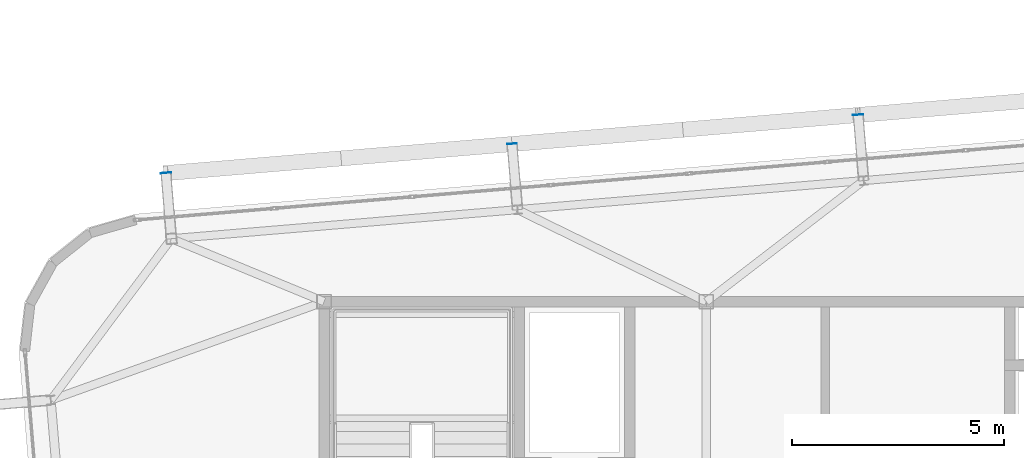
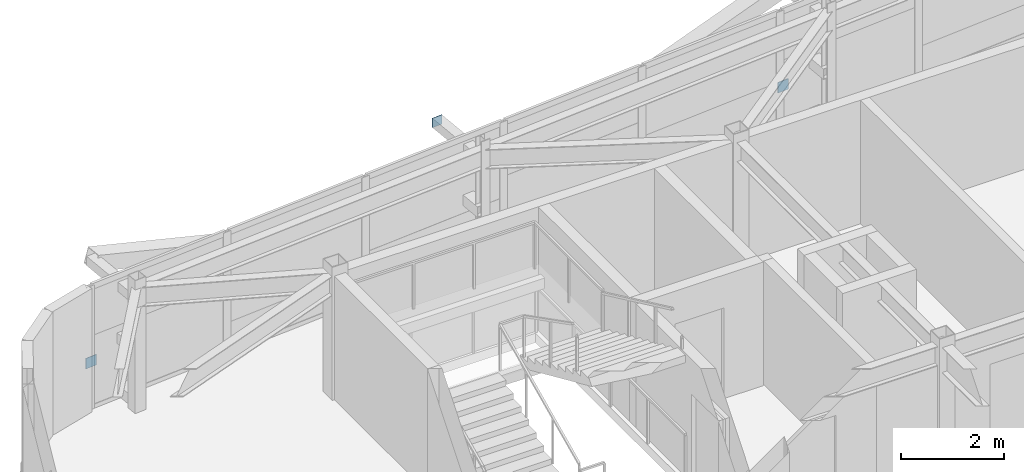
# One storey, part 39 of 46: 3 plates.
"""IFC4 building model written with IfcOpenShell, lengths in metres."""

from ifc_helpers import new_model, si_unit, direction, frame, origin, origin_2d, place, context, subcontext, project, spatial, rectangle, extrude, source, transform, mapped, material, layer, layer_set, type_object, element, save


model = new_model("IFC4")

# Units and contexts
model_context = context("Model", 3, precision=1e-05, world=origin(), true_north=direction((0.0, 1.0)))
body_context = subcontext(model_context, "Body", "Model", "MODEL_VIEW")
ifc_project = project(units=[si_unit("LENGTHUNIT", "METRE"), si_unit("AREAUNIT", "SQUARE_METRE"), si_unit("VOLUMEUNIT", "CUBIC_METRE"), si_unit("PLANEANGLEUNIT", "RADIAN"), si_unit("MASSUNIT", "GRAM", prefix="KILO")], contexts=[model_context])

# Site, building, storey
site_placement = place(None, origin())
site = spatial("IfcSite", under=ifc_project, at=site_placement, CompositionType="ELEMENT")
building_placement = place(site_placement, origin())
building = spatial("IfcBuilding", under=site, at=building_placement, Name="Taldren Reach Tower", CompositionType="ELEMENT")
storey_placement = place(building_placement, frame((0.0, 0.0, 194.60009765625)))
storey = spatial("IfcBuildingStorey", under=building, at=storey_placement, Name="L59", CompositionType="ELEMENT", Elevation=194.60009765625)

# Plates
ifc_material_1 = material(Name="Steel Gr 350 (C350L0)", Category="steel")
ifc_layer_1 = layer(ifc_material_1, 0.011962890625)
ifc_layer_set_1 = layer_set([ifc_layer_1], Name="Steel Gr 350 (C350L0)")
plate_type_1 = type_object("IfcPlateType", Name="PL-CAP-250", PredefinedType="SHEET", material=ifc_layer_set_1)
shared_shape_1 = source(origin(), body_context, "Body", "SweptSolid", [
    extrude(rectangle(XDim=0.25, YDim=0.011962890625, at=origin_2d()), origin(), (0.0, 0.0, 1.0), 0.25),
])
for number, where, z_axis, x_axis, name in (
    (1, (15.273681640625, 35.0341796875, 0.094970703125), (0.0, 0.0, 1.0), (0.99649285925, 0.083677843332, 0.0), "Tie strut end cap plate B4-N1 L59"),
    (2, (31.576171875, 36.403076171875, 0.094970703125), (0.0, 0.0, 1.0), (0.99649285925, 0.083677843332, 0.0), "Tie strut end cap plate B4-N3 L59"),
):
    element("IfcPlate", number, at=place(storey_placement, frame(where, z_axis=z_axis, x_axis=x_axis)), inside=storey, type_object=plate_type_1, Name=name, PredefinedType="SHEET", context=body_context, shape_type="MappedRepresentation", body=[
        mapped(shared_shape_1, transform((0.0, 0.0, 0.0), scale=1.0)),
    ])
ifc_material_2 = material(Name="Steel Gr 450 (C450L0)", Category="steel")
ifc_layer_2 = layer(ifc_material_2, 0.011962890625)
ifc_layer_set_2 = layer_set([ifc_layer_2], Name="Steel Gr 450 (C450L0)")
plate_type_2 = type_object("IfcPlateType", Name="PL-CAP-220", PredefinedType="SHEET", material=ifc_layer_set_2)
shared_shape_2 = source(origin(), body_context, "Body", "SweptSolid", [
    extrude(rectangle(XDim=0.219970703125, YDim=0.011962890625, at=origin_2d()), origin(), (0.0, 0.0, 1.0), 0.219970703125),
])
plate_placement = place(storey_placement, frame((23.4248046875, 35.718505859375, 2.5400390625), z_axis=(0.0, 0.0, 1.0), x_axis=(0.99649285925, 0.083677843332, 0.0)))
element("IfcPlate", 3, at=plate_placement, inside=storey, type_object=plate_type_2, Name="Tie strut end cap plate B4-N2 L59", PredefinedType="SHEET", context=body_context, shape_type="MappedRepresentation", body=[
    mapped(shared_shape_2, transform((0.0, 0.0, 0.0), scale=1.0)),
])

save(model, "model.ifc")
